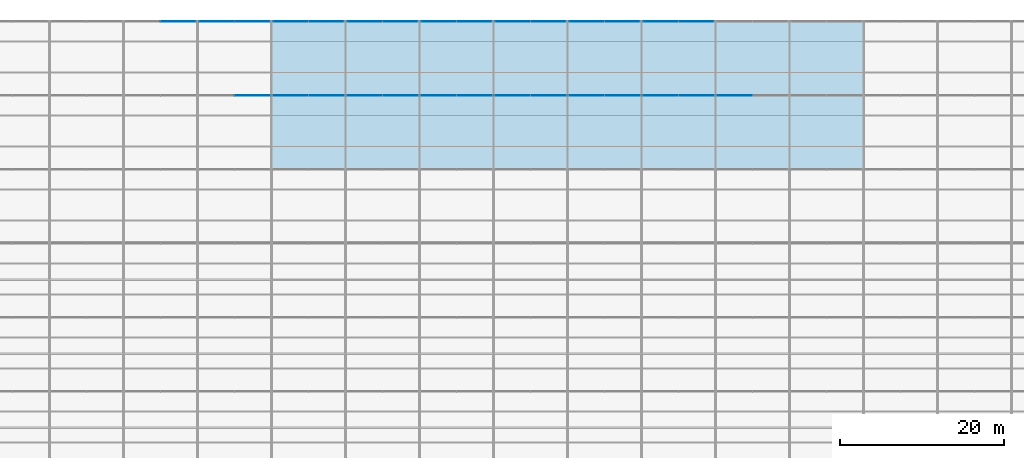
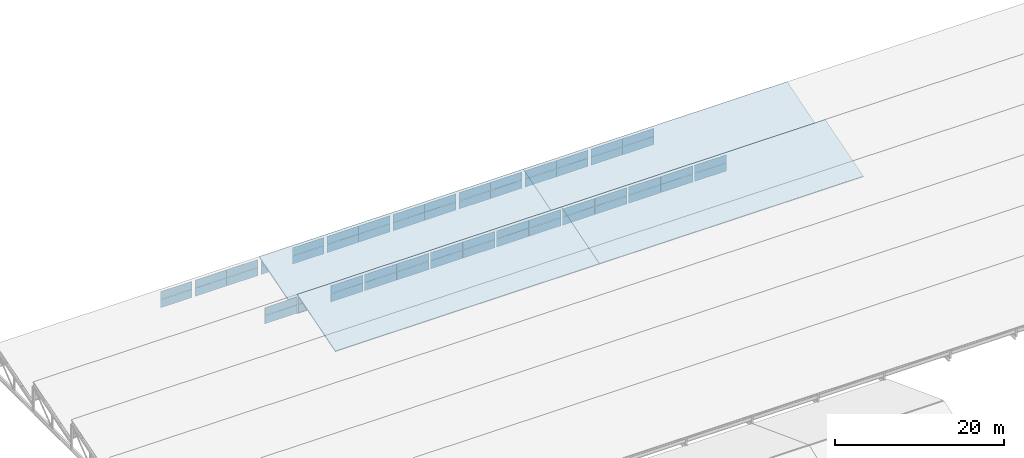
# One storey, part 115 of 163: 58 plates, 4 slabs, 16 elements without a shape of their own.
"""IFC4 building model written with IfcOpenShell, lengths in metres."""

from ifc_helpers import new_model, si_unit, direction, frame, origin, origin_2d, place, context, subcontext, project, spatial, polyline, rectangle, outline, extrude, material, layer, layer_set, type_object, element, aggregate, save


model = new_model("IFC4")

# Units and contexts
model_context = context("Model", 3, precision=1e-05, world=origin(), true_north=direction((0.0, 1.0)))
body_context = subcontext(model_context, "Body", "Model", "MODEL_VIEW")
ifc_project = project(units=[si_unit("LENGTHUNIT", "METRE"), si_unit("AREAUNIT", "SQUARE_METRE"), si_unit("VOLUMEUNIT", "CUBIC_METRE"), si_unit("PLANEANGLEUNIT", "RADIAN"), si_unit("MASSUNIT", "GRAM", prefix="KILO")], contexts=[model_context])

# Site, building, storey
site_placement = place(None, origin())
site = spatial("IfcSite", under=ifc_project, at=site_placement, CompositionType="ELEMENT")
building_placement = place(site_placement, origin())
building = spatial("IfcBuilding", under=site, at=building_placement, Name="Tharagai Park Tramway Depot", CompositionType="ELEMENT")
storey_placement = place(building_placement, frame((0.0, 0.0, 8.39990234375)))
storey = spatial("IfcBuildingStorey", under=building, at=storey_placement, Name="L02", CompositionType="ELEMENT", Elevation=8.39990234375)

# Curtain wall, plates
ifc_material_1 = material(Name="Anodised aluminium", Category="aluminium")
curtain_wall_type_1 = type_object("IfcCurtainWallType", Name="CW-04", PredefinedType="NOTDEFINED", material=ifc_material_1)
curtain_wall_1_placement = place(storey_placement, origin())
curtain_wall_1 = element("IfcCurtainWall", 1, at=curtain_wall_1_placement, inside=storey, type_object=curtain_wall_type_1, Name="Sawtooth North-Light Clerestory CW-04", PredefinedType="NOTDEFINED")
ifc_material_2 = material(Name="Laminated solar-control glass", Category="glass")
ifc_layer_1 = layer(ifc_material_2, 0.028076171875)
ifc_layer_set_1 = layer_set([ifc_layer_1], Name="Laminated solar-control glass")
plate_type = type_object("IfcPlateType", Name="CP-02", PredefinedType="CURTAIN_PANEL", material=ifc_layer_set_1)
plate_1_placement = place(storey_placement, frame((33.699951171875, 134.919921875, 1.28515625), z_axis=(0.0, 0.0, 1.0), x_axis=(1.0, 0.0, 0.0)))
plate_1 = element("IfcPlate", 2, at=plate_1_placement, type_object=plate_type, Name="Sawtooth North-Light Clerestory Glazed Panel 2.1", PredefinedType="CURTAIN_PANEL", context=body_context, shape_type="SweptSolid", body=[
    extrude(rectangle(XDim=4.3798828125, YDim=0.028076171875, at=origin_2d()), origin(), (0.0, 0.0, 1.0), 1.168701171875),
])
plate_2_placement = place(storey_placement, frame((33.699951171875, 134.919921875, 2.49365234375), z_axis=(0.0, 0.0, 1.0), x_axis=(1.0, 0.0, 0.0)))
plate_2 = element("IfcPlate", 3, at=plate_2_placement, type_object=plate_type, Name="Sawtooth North-Light Clerestory Glazed Panel 2.2", PredefinedType="CURTAIN_PANEL", context=body_context, shape_type="SweptSolid", body=[
    extrude(rectangle(XDim=4.3798828125, YDim=0.028076171875, at=origin_2d()), origin(), (0.0, 0.0, 1.0), 1.148681640625),
])
aggregate(curtain_wall_1, [plate_1, plate_2])

curtain_wall_2_placement = place(storey_placement, origin())
curtain_wall_2 = element("IfcCurtainWall", 4, at=curtain_wall_2_placement, inside=storey, type_object=curtain_wall_type_1, Name="Sawtooth North-Light Clerestory CW-04", PredefinedType="NOTDEFINED")
plate_3_placement = place(storey_placement, frame((38.300048828125, 134.919921875, 1.28515625), z_axis=(0.0, 0.0, 1.0), x_axis=(1.0, 0.0, 0.0)))
plate_3 = element("IfcPlate", 5, at=plate_3_placement, type_object=plate_type, Name="Sawtooth North-Light Clerestory Glazed Panel 1.1", PredefinedType="CURTAIN_PANEL", context=body_context, shape_type="SweptSolid", body=[
    extrude(rectangle(XDim=4.3798828125, YDim=0.028076171875, at=origin_2d()), origin(), (0.0, 0.0, 1.0), 1.168701171875),
])
plate_4_placement = place(storey_placement, frame((38.300048828125, 134.919921875, 2.49365234375), z_axis=(0.0, 0.0, 1.0), x_axis=(1.0, 0.0, 0.0)))
plate_4 = element("IfcPlate", 6, at=plate_4_placement, type_object=plate_type, Name="Sawtooth North-Light Clerestory Glazed Panel 1.2", PredefinedType="CURTAIN_PANEL", context=body_context, shape_type="SweptSolid", body=[
    extrude(rectangle(XDim=4.3798828125, YDim=0.028076171875, at=origin_2d()), origin(), (0.0, 0.0, 1.0), 1.148681640625),
])
plate_5_placement = place(storey_placement, frame((42.699951171875, 134.919921875, 1.28515625), z_axis=(0.0, 0.0, 1.0), x_axis=(1.0, 0.0, 0.0)))
plate_5 = element("IfcPlate", 7, at=plate_5_placement, type_object=plate_type, Name="Sawtooth North-Light Clerestory Glazed Panel 2.1", PredefinedType="CURTAIN_PANEL", context=body_context, shape_type="SweptSolid", body=[
    extrude(rectangle(XDim=4.3798828125, YDim=0.028076171875, at=origin_2d()), origin(), (0.0, 0.0, 1.0), 1.168701171875),
])
plate_6_placement = place(storey_placement, frame((42.699951171875, 134.919921875, 2.49365234375), z_axis=(0.0, 0.0, 1.0), x_axis=(1.0, 0.0, 0.0)))
plate_6 = element("IfcPlate", 8, at=plate_6_placement, type_object=plate_type, Name="Sawtooth North-Light Clerestory Glazed Panel 2.2", PredefinedType="CURTAIN_PANEL", context=body_context, shape_type="SweptSolid", body=[
    extrude(rectangle(XDim=4.3798828125, YDim=0.028076171875, at=origin_2d()), origin(), (0.0, 0.0, 1.0), 1.148681640625),
])
aggregate(curtain_wall_2, [plate_3, plate_4, plate_5, plate_6])

curtain_wall_3_placement = place(storey_placement, origin())
curtain_wall_3 = element("IfcCurtainWall", 9, at=curtain_wall_3_placement, inside=storey, type_object=curtain_wall_type_1, Name="Sawtooth North-Light Clerestory CW-04", PredefinedType="NOTDEFINED")
plate_7_placement = place(storey_placement, frame((47.300048828125, 134.919921875, 1.28515625), z_axis=(0.0, 0.0, 1.0), x_axis=(1.0, 0.0, 0.0)))
plate_7 = element("IfcPlate", 10, at=plate_7_placement, type_object=plate_type, Name="Sawtooth North-Light Clerestory Glazed Panel 1.1", PredefinedType="CURTAIN_PANEL", context=body_context, shape_type="SweptSolid", body=[
    extrude(rectangle(XDim=4.3798828125, YDim=0.028076171875, at=origin_2d()), origin(), (0.0, 0.0, 1.0), 1.168701171875),
])
plate_8_placement = place(storey_placement, frame((47.300048828125, 134.919921875, 2.49365234375), z_axis=(0.0, 0.0, 1.0), x_axis=(1.0, 0.0, 0.0)))
plate_8 = element("IfcPlate", 11, at=plate_8_placement, type_object=plate_type, Name="Sawtooth North-Light Clerestory Glazed Panel 1.2", PredefinedType="CURTAIN_PANEL", context=body_context, shape_type="SweptSolid", body=[
    extrude(rectangle(XDim=4.3798828125, YDim=0.028076171875, at=origin_2d()), origin(), (0.0, 0.0, 1.0), 1.148681640625),
])
plate_9_placement = place(storey_placement, frame((51.699951171875, 134.919921875, 1.28515625), z_axis=(0.0, 0.0, 1.0), x_axis=(1.0, 0.0, 0.0)))
plate_9 = element("IfcPlate", 12, at=plate_9_placement, type_object=plate_type, Name="Sawtooth North-Light Clerestory Glazed Panel 2.1", PredefinedType="CURTAIN_PANEL", context=body_context, shape_type="SweptSolid", body=[
    extrude(rectangle(XDim=4.3798828125, YDim=0.028076171875, at=origin_2d()), origin(), (0.0, 0.0, 1.0), 1.168701171875),
])
plate_10_placement = place(storey_placement, frame((51.699951171875, 134.919921875, 2.49365234375), z_axis=(0.0, 0.0, 1.0), x_axis=(1.0, 0.0, 0.0)))
plate_10 = element("IfcPlate", 13, at=plate_10_placement, type_object=plate_type, Name="Sawtooth North-Light Clerestory Glazed Panel 2.2", PredefinedType="CURTAIN_PANEL", context=body_context, shape_type="SweptSolid", body=[
    extrude(rectangle(XDim=4.3798828125, YDim=0.028076171875, at=origin_2d()), origin(), (0.0, 0.0, 1.0), 1.148681640625),
])
aggregate(curtain_wall_3, [plate_7, plate_8, plate_9, plate_10])

curtain_wall_4_placement = place(storey_placement, origin())
curtain_wall_4 = element("IfcCurtainWall", 14, at=curtain_wall_4_placement, inside=storey, type_object=curtain_wall_type_1, Name="Sawtooth North-Light Clerestory CW-04", PredefinedType="NOTDEFINED")
plate_11_placement = place(storey_placement, frame((56.300048828125, 134.919921875, 1.28515625), z_axis=(0.0, 0.0, 1.0), x_axis=(1.0, 0.0, 0.0)))
plate_11 = element("IfcPlate", 15, at=plate_11_placement, type_object=plate_type, Name="Sawtooth North-Light Clerestory Glazed Panel 1.1", PredefinedType="CURTAIN_PANEL", context=body_context, shape_type="SweptSolid", body=[
    extrude(rectangle(XDim=4.3798828125, YDim=0.028076171875, at=origin_2d()), origin(), (0.0, 0.0, 1.0), 1.168701171875),
])
plate_12_placement = place(storey_placement, frame((56.300048828125, 134.919921875, 2.49365234375), z_axis=(0.0, 0.0, 1.0), x_axis=(1.0, 0.0, 0.0)))
plate_12 = element("IfcPlate", 16, at=plate_12_placement, type_object=plate_type, Name="Sawtooth North-Light Clerestory Glazed Panel 1.2", PredefinedType="CURTAIN_PANEL", context=body_context, shape_type="SweptSolid", body=[
    extrude(rectangle(XDim=4.3798828125, YDim=0.028076171875, at=origin_2d()), origin(), (0.0, 0.0, 1.0), 1.148681640625),
])
plate_13_placement = place(storey_placement, frame((60.699951171875, 134.919921875, 1.28515625), z_axis=(0.0, 0.0, 1.0), x_axis=(1.0, 0.0, 0.0)))
plate_13 = element("IfcPlate", 17, at=plate_13_placement, type_object=plate_type, Name="Sawtooth North-Light Clerestory Glazed Panel 2.1", PredefinedType="CURTAIN_PANEL", context=body_context, shape_type="SweptSolid", body=[
    extrude(rectangle(XDim=4.3798828125, YDim=0.028076171875, at=origin_2d()), origin(), (0.0, 0.0, 1.0), 1.168701171875),
])
plate_14_placement = place(storey_placement, frame((60.699951171875, 134.919921875, 2.49365234375), z_axis=(0.0, 0.0, 1.0), x_axis=(1.0, 0.0, 0.0)))
plate_14 = element("IfcPlate", 18, at=plate_14_placement, type_object=plate_type, Name="Sawtooth North-Light Clerestory Glazed Panel 2.2", PredefinedType="CURTAIN_PANEL", context=body_context, shape_type="SweptSolid", body=[
    extrude(rectangle(XDim=4.3798828125, YDim=0.028076171875, at=origin_2d()), origin(), (0.0, 0.0, 1.0), 1.148681640625),
])
aggregate(curtain_wall_4, [plate_11, plate_12, plate_13, plate_14])

curtain_wall_5_placement = place(storey_placement, origin())
curtain_wall_5 = element("IfcCurtainWall", 19, at=curtain_wall_5_placement, inside=storey, type_object=curtain_wall_type_1, Name="Sawtooth North-Light Clerestory CW-04", PredefinedType="NOTDEFINED")
plate_15_placement = place(storey_placement, frame((65.300048828125, 134.919921875, 1.28515625), z_axis=(0.0, 0.0, 1.0), x_axis=(1.0, 0.0, 0.0)))
plate_15 = element("IfcPlate", 20, at=plate_15_placement, type_object=plate_type, Name="Sawtooth North-Light Clerestory Glazed Panel 1.1", PredefinedType="CURTAIN_PANEL", context=body_context, shape_type="SweptSolid", body=[
    extrude(rectangle(XDim=4.3798828125, YDim=0.028076171875, at=origin_2d()), origin(), (0.0, 0.0, 1.0), 1.168701171875),
])
plate_16_placement = place(storey_placement, frame((65.300048828125, 134.919921875, 2.49365234375), z_axis=(0.0, 0.0, 1.0), x_axis=(1.0, 0.0, 0.0)))
plate_16 = element("IfcPlate", 21, at=plate_16_placement, type_object=plate_type, Name="Sawtooth North-Light Clerestory Glazed Panel 1.2", PredefinedType="CURTAIN_PANEL", context=body_context, shape_type="SweptSolid", body=[
    extrude(rectangle(XDim=4.3798828125, YDim=0.028076171875, at=origin_2d()), origin(), (0.0, 0.0, 1.0), 1.148681640625),
])
plate_17_placement = place(storey_placement, frame((69.699951171875, 134.919921875, 1.28515625), z_axis=(0.0, 0.0, 1.0), x_axis=(1.0, 0.0, 0.0)))
plate_17 = element("IfcPlate", 22, at=plate_17_placement, type_object=plate_type, Name="Sawtooth North-Light Clerestory Glazed Panel 2.1", PredefinedType="CURTAIN_PANEL", context=body_context, shape_type="SweptSolid", body=[
    extrude(rectangle(XDim=4.3798828125, YDim=0.028076171875, at=origin_2d()), origin(), (0.0, 0.0, 1.0), 1.168701171875),
])
plate_18_placement = place(storey_placement, frame((69.699951171875, 134.919921875, 2.49365234375), z_axis=(0.0, 0.0, 1.0), x_axis=(1.0, 0.0, 0.0)))
plate_18 = element("IfcPlate", 23, at=plate_18_placement, type_object=plate_type, Name="Sawtooth North-Light Clerestory Glazed Panel 2.2", PredefinedType="CURTAIN_PANEL", context=body_context, shape_type="SweptSolid", body=[
    extrude(rectangle(XDim=4.3798828125, YDim=0.028076171875, at=origin_2d()), origin(), (0.0, 0.0, 1.0), 1.148681640625),
])
aggregate(curtain_wall_5, [plate_15, plate_16, plate_17, plate_18])

curtain_wall_6_placement = place(storey_placement, origin())
curtain_wall_6 = element("IfcCurtainWall", 24, at=curtain_wall_6_placement, inside=storey, type_object=curtain_wall_type_1, Name="Sawtooth North-Light Clerestory CW-04", PredefinedType="NOTDEFINED")
plate_19_placement = place(storey_placement, frame((74.300048828125, 134.919921875, 1.28515625), z_axis=(0.0, 0.0, 1.0), x_axis=(1.0, 0.0, 0.0)))
plate_19 = element("IfcPlate", 25, at=plate_19_placement, type_object=plate_type, Name="Sawtooth North-Light Clerestory Glazed Panel 1.1", PredefinedType="CURTAIN_PANEL", context=body_context, shape_type="SweptSolid", body=[
    extrude(rectangle(XDim=4.3798828125, YDim=0.028076171875, at=origin_2d()), origin(), (0.0, 0.0, 1.0), 1.168701171875),
])
plate_20_placement = place(storey_placement, frame((74.300048828125, 134.919921875, 2.49365234375), z_axis=(0.0, 0.0, 1.0), x_axis=(1.0, 0.0, 0.0)))
plate_20 = element("IfcPlate", 26, at=plate_20_placement, type_object=plate_type, Name="Sawtooth North-Light Clerestory Glazed Panel 1.2", PredefinedType="CURTAIN_PANEL", context=body_context, shape_type="SweptSolid", body=[
    extrude(rectangle(XDim=4.3798828125, YDim=0.028076171875, at=origin_2d()), origin(), (0.0, 0.0, 1.0), 1.148681640625),
])
plate_21_placement = place(storey_placement, frame((78.699951171875, 134.919921875, 1.28515625), z_axis=(0.0, 0.0, 1.0), x_axis=(1.0, 0.0, 0.0)))
plate_21 = element("IfcPlate", 27, at=plate_21_placement, type_object=plate_type, Name="Sawtooth North-Light Clerestory Glazed Panel 2.1", PredefinedType="CURTAIN_PANEL", context=body_context, shape_type="SweptSolid", body=[
    extrude(rectangle(XDim=4.3798828125, YDim=0.028076171875, at=origin_2d()), origin(), (0.0, 0.0, 1.0), 1.168701171875),
])
plate_22_placement = place(storey_placement, frame((78.699951171875, 134.919921875, 2.49365234375), z_axis=(0.0, 0.0, 1.0), x_axis=(1.0, 0.0, 0.0)))
plate_22 = element("IfcPlate", 28, at=plate_22_placement, type_object=plate_type, Name="Sawtooth North-Light Clerestory Glazed Panel 2.2", PredefinedType="CURTAIN_PANEL", context=body_context, shape_type="SweptSolid", body=[
    extrude(rectangle(XDim=4.3798828125, YDim=0.028076171875, at=origin_2d()), origin(), (0.0, 0.0, 1.0), 1.148681640625),
])
aggregate(curtain_wall_6, [plate_19, plate_20, plate_21, plate_22])

curtain_wall_7_placement = place(storey_placement, origin())
curtain_wall_7 = element("IfcCurtainWall", 29, at=curtain_wall_7_placement, inside=storey, type_object=curtain_wall_type_1, Name="Sawtooth North-Light Clerestory CW-04", PredefinedType="NOTDEFINED")
plate_23_placement = place(storey_placement, frame((83.300048828125, 134.919921875, 1.28515625), z_axis=(0.0, 0.0, 1.0), x_axis=(1.0, 0.0, 0.0)))
plate_23 = element("IfcPlate", 30, at=plate_23_placement, type_object=plate_type, Name="Sawtooth North-Light Clerestory Glazed Panel 1.1", PredefinedType="CURTAIN_PANEL", context=body_context, shape_type="SweptSolid", body=[
    extrude(rectangle(XDim=4.3798828125, YDim=0.028076171875, at=origin_2d()), origin(), (0.0, 0.0, 1.0), 1.168701171875),
])
plate_24_placement = place(storey_placement, frame((83.300048828125, 134.919921875, 2.49365234375), z_axis=(0.0, 0.0, 1.0), x_axis=(1.0, 0.0, 0.0)))
plate_24 = element("IfcPlate", 31, at=plate_24_placement, type_object=plate_type, Name="Sawtooth North-Light Clerestory Glazed Panel 1.2", PredefinedType="CURTAIN_PANEL", context=body_context, shape_type="SweptSolid", body=[
    extrude(rectangle(XDim=4.3798828125, YDim=0.028076171875, at=origin_2d()), origin(), (0.0, 0.0, 1.0), 1.148681640625),
])
plate_25_placement = place(storey_placement, frame((87.699951171875, 134.919921875, 1.28515625), z_axis=(0.0, 0.0, 1.0), x_axis=(1.0, 0.0, 0.0)))
plate_25 = element("IfcPlate", 32, at=plate_25_placement, type_object=plate_type, Name="Sawtooth North-Light Clerestory Glazed Panel 2.1", PredefinedType="CURTAIN_PANEL", context=body_context, shape_type="SweptSolid", body=[
    extrude(rectangle(XDim=4.3798828125, YDim=0.028076171875, at=origin_2d()), origin(), (0.0, 0.0, 1.0), 1.168701171875),
])
plate_26_placement = place(storey_placement, frame((87.699951171875, 134.919921875, 2.49365234375), z_axis=(0.0, 0.0, 1.0), x_axis=(1.0, 0.0, 0.0)))
plate_26 = element("IfcPlate", 33, at=plate_26_placement, type_object=plate_type, Name="Sawtooth North-Light Clerestory Glazed Panel 2.2", PredefinedType="CURTAIN_PANEL", context=body_context, shape_type="SweptSolid", body=[
    extrude(rectangle(XDim=4.3798828125, YDim=0.028076171875, at=origin_2d()), origin(), (0.0, 0.0, 1.0), 1.148681640625),
])
aggregate(curtain_wall_7, [plate_23, plate_24, plate_25, plate_26])

curtain_wall_8_placement = place(storey_placement, origin())
curtain_wall_8 = element("IfcCurtainWall", 34, at=curtain_wall_8_placement, inside=storey, type_object=curtain_wall_type_1, Name="Sawtooth North-Light Clerestory CW-04", PredefinedType="NOTDEFINED")
plate_27_placement = place(storey_placement, frame((92.300048828125, 134.919921875, 1.28515625), z_axis=(0.0, 0.0, 1.0), x_axis=(1.0, 0.0, 0.0)))
plate_27 = element("IfcPlate", 35, at=plate_27_placement, type_object=plate_type, Name="Sawtooth North-Light Clerestory Glazed Panel 1.1", PredefinedType="CURTAIN_PANEL", context=body_context, shape_type="SweptSolid", body=[
    extrude(rectangle(XDim=4.3798828125, YDim=0.028076171875, at=origin_2d()), origin(), (0.0, 0.0, 1.0), 1.168701171875),
])
plate_28_placement = place(storey_placement, frame((92.300048828125, 134.919921875, 2.49365234375), z_axis=(0.0, 0.0, 1.0), x_axis=(1.0, 0.0, 0.0)))
plate_28 = element("IfcPlate", 36, at=plate_28_placement, type_object=plate_type, Name="Sawtooth North-Light Clerestory Glazed Panel 1.2", PredefinedType="CURTAIN_PANEL", context=body_context, shape_type="SweptSolid", body=[
    extrude(rectangle(XDim=4.3798828125, YDim=0.028076171875, at=origin_2d()), origin(), (0.0, 0.0, 1.0), 1.148681640625),
])
aggregate(curtain_wall_8, [plate_27, plate_28])

curtain_wall_type_2 = type_object("IfcCurtainWallType", Name="CW-03", PredefinedType="NOTDEFINED", material=ifc_material_1)
curtain_wall_9_placement = place(storey_placement, origin())
curtain_wall_9 = element("IfcCurtainWall", 37, at=curtain_wall_9_placement, inside=storey, type_object=curtain_wall_type_2, Name="Sawtooth North-Light Clerestory CW-03", PredefinedType="NOTDEFINED")
plate_29_placement = place(storey_placement, frame((24.659912109375, 143.919921875, 1.28515625), z_axis=(0.0, 0.0, 1.0), x_axis=(1.0, 0.0, 0.0)))
plate_29 = element("IfcPlate", 38, at=plate_29_placement, type_object=plate_type, Name="Sawtooth North-Light Clerestory Glazed Panel 2.1", PredefinedType="CURTAIN_PANEL", context=body_context, shape_type="SweptSolid", body=[
    extrude(rectangle(XDim=4.300048828125, YDim=0.028076171875, at=origin_2d()), origin(), (0.0, 0.0, 1.0), 1.168701171875),
])
plate_30_placement = place(storey_placement, frame((24.659912109375, 143.919921875, 2.49365234375), z_axis=(0.0, 0.0, 1.0), x_axis=(1.0, 0.0, 0.0)))
plate_30 = element("IfcPlate", 39, at=plate_30_placement, type_object=plate_type, Name="Sawtooth North-Light Clerestory Glazed Panel 2.2", PredefinedType="CURTAIN_PANEL", context=body_context, shape_type="SweptSolid", body=[
    extrude(rectangle(XDim=4.300048828125, YDim=0.028076171875, at=origin_2d()), origin(), (0.0, 0.0, 1.0), 1.148681640625),
])
aggregate(curtain_wall_9, [plate_29, plate_30])

curtain_wall_10_placement = place(storey_placement, origin())
curtain_wall_10 = element("IfcCurtainWall", 40, at=curtain_wall_10_placement, inside=storey, type_object=curtain_wall_type_2, Name="Sawtooth North-Light Clerestory CW-03", PredefinedType="NOTDEFINED")
plate_31_placement = place(storey_placement, frame((29.340087890625, 143.919921875, 1.28515625), z_axis=(0.0, 0.0, 1.0), x_axis=(1.0, 0.0, 0.0)))
plate_31 = element("IfcPlate", 41, at=plate_31_placement, type_object=plate_type, Name="Sawtooth North-Light Clerestory Glazed Panel 1.1", PredefinedType="CURTAIN_PANEL", context=body_context, shape_type="SweptSolid", body=[
    extrude(rectangle(XDim=4.300048828125, YDim=0.028076171875, at=origin_2d()), origin(), (0.0, 0.0, 1.0), 1.168701171875),
])
plate_32_placement = place(storey_placement, frame((29.340087890625, 143.919921875, 2.49365234375), z_axis=(0.0, 0.0, 1.0), x_axis=(1.0, 0.0, 0.0)))
plate_32 = element("IfcPlate", 42, at=plate_32_placement, type_object=plate_type, Name="Sawtooth North-Light Clerestory Glazed Panel 1.2", PredefinedType="CURTAIN_PANEL", context=body_context, shape_type="SweptSolid", body=[
    extrude(rectangle(XDim=4.300048828125, YDim=0.028076171875, at=origin_2d()), origin(), (0.0, 0.0, 1.0), 1.148681640625),
])
plate_33_placement = place(storey_placement, frame((33.659912109375, 143.919921875, 1.28515625), z_axis=(0.0, 0.0, 1.0), x_axis=(1.0, 0.0, 0.0)))
plate_33 = element("IfcPlate", 43, at=plate_33_placement, type_object=plate_type, Name="Sawtooth North-Light Clerestory Glazed Panel 2.1", PredefinedType="CURTAIN_PANEL", context=body_context, shape_type="SweptSolid", body=[
    extrude(rectangle(XDim=4.300048828125, YDim=0.028076171875, at=origin_2d()), origin(), (0.0, 0.0, 1.0), 1.168701171875),
])
plate_34_placement = place(storey_placement, frame((33.659912109375, 143.919921875, 2.49365234375), z_axis=(0.0, 0.0, 1.0), x_axis=(1.0, 0.0, 0.0)))
plate_34 = element("IfcPlate", 44, at=plate_34_placement, type_object=plate_type, Name="Sawtooth North-Light Clerestory Glazed Panel 2.2", PredefinedType="CURTAIN_PANEL", context=body_context, shape_type="SweptSolid", body=[
    extrude(rectangle(XDim=4.300048828125, YDim=0.028076171875, at=origin_2d()), origin(), (0.0, 0.0, 1.0), 1.148681640625),
])
aggregate(curtain_wall_10, [plate_31, plate_32, plate_33, plate_34])

curtain_wall_11_placement = place(storey_placement, origin())
curtain_wall_11 = element("IfcCurtainWall", 45, at=curtain_wall_11_placement, inside=storey, type_object=curtain_wall_type_2, Name="Sawtooth North-Light Clerestory CW-03", PredefinedType="NOTDEFINED")
plate_35_placement = place(storey_placement, frame((38.340087890625, 143.919921875, 1.28515625), z_axis=(0.0, 0.0, 1.0), x_axis=(1.0, 0.0, 0.0)))
plate_35 = element("IfcPlate", 46, at=plate_35_placement, type_object=plate_type, Name="Sawtooth North-Light Clerestory Glazed Panel 1.1", PredefinedType="CURTAIN_PANEL", context=body_context, shape_type="SweptSolid", body=[
    extrude(rectangle(XDim=4.300048828125, YDim=0.028076171875, at=origin_2d()), origin(), (0.0, 0.0, 1.0), 1.168701171875),
])
plate_36_placement = place(storey_placement, frame((38.340087890625, 143.919921875, 2.49365234375), z_axis=(0.0, 0.0, 1.0), x_axis=(1.0, 0.0, 0.0)))
plate_36 = element("IfcPlate", 47, at=plate_36_placement, type_object=plate_type, Name="Sawtooth North-Light Clerestory Glazed Panel 1.2", PredefinedType="CURTAIN_PANEL", context=body_context, shape_type="SweptSolid", body=[
    extrude(rectangle(XDim=4.300048828125, YDim=0.028076171875, at=origin_2d()), origin(), (0.0, 0.0, 1.0), 1.148681640625),
])
plate_37_placement = place(storey_placement, frame((42.659912109375, 143.919921875, 1.28515625), z_axis=(0.0, 0.0, 1.0), x_axis=(1.0, 0.0, 0.0)))
plate_37 = element("IfcPlate", 48, at=plate_37_placement, type_object=plate_type, Name="Sawtooth North-Light Clerestory Glazed Panel 2.1", PredefinedType="CURTAIN_PANEL", context=body_context, shape_type="SweptSolid", body=[
    extrude(rectangle(XDim=4.300048828125, YDim=0.028076171875, at=origin_2d()), origin(), (0.0, 0.0, 1.0), 1.168701171875),
])
plate_38_placement = place(storey_placement, frame((42.659912109375, 143.919921875, 2.49365234375), z_axis=(0.0, 0.0, 1.0), x_axis=(1.0, 0.0, 0.0)))
plate_38 = element("IfcPlate", 49, at=plate_38_placement, type_object=plate_type, Name="Sawtooth North-Light Clerestory Glazed Panel 2.2", PredefinedType="CURTAIN_PANEL", context=body_context, shape_type="SweptSolid", body=[
    extrude(rectangle(XDim=4.300048828125, YDim=0.028076171875, at=origin_2d()), origin(), (0.0, 0.0, 1.0), 1.148681640625),
])
aggregate(curtain_wall_11, [plate_35, plate_36, plate_37, plate_38])

curtain_wall_12_placement = place(storey_placement, origin())
curtain_wall_12 = element("IfcCurtainWall", 50, at=curtain_wall_12_placement, inside=storey, type_object=curtain_wall_type_2, Name="Sawtooth North-Light Clerestory CW-03", PredefinedType="NOTDEFINED")
plate_39_placement = place(storey_placement, frame((47.340087890625, 143.919921875, 1.28515625), z_axis=(0.0, 0.0, 1.0), x_axis=(1.0, 0.0, 0.0)))
plate_39 = element("IfcPlate", 51, at=plate_39_placement, type_object=plate_type, Name="Sawtooth North-Light Clerestory Glazed Panel 1.1", PredefinedType="CURTAIN_PANEL", context=body_context, shape_type="SweptSolid", body=[
    extrude(rectangle(XDim=4.300048828125, YDim=0.028076171875, at=origin_2d()), origin(), (0.0, 0.0, 1.0), 1.168701171875),
])
plate_40_placement = place(storey_placement, frame((47.340087890625, 143.919921875, 2.49365234375), z_axis=(0.0, 0.0, 1.0), x_axis=(1.0, 0.0, 0.0)))
plate_40 = element("IfcPlate", 52, at=plate_40_placement, type_object=plate_type, Name="Sawtooth North-Light Clerestory Glazed Panel 1.2", PredefinedType="CURTAIN_PANEL", context=body_context, shape_type="SweptSolid", body=[
    extrude(rectangle(XDim=4.300048828125, YDim=0.028076171875, at=origin_2d()), origin(), (0.0, 0.0, 1.0), 1.148681640625),
])
plate_41_placement = place(storey_placement, frame((51.659912109375, 143.919921875, 1.28515625), z_axis=(0.0, 0.0, 1.0), x_axis=(1.0, 0.0, 0.0)))
plate_41 = element("IfcPlate", 53, at=plate_41_placement, type_object=plate_type, Name="Sawtooth North-Light Clerestory Glazed Panel 2.1", PredefinedType="CURTAIN_PANEL", context=body_context, shape_type="SweptSolid", body=[
    extrude(rectangle(XDim=4.300048828125, YDim=0.028076171875, at=origin_2d()), origin(), (0.0, 0.0, 1.0), 1.168701171875),
])
plate_42_placement = place(storey_placement, frame((51.659912109375, 143.919921875, 2.49365234375), z_axis=(0.0, 0.0, 1.0), x_axis=(1.0, 0.0, 0.0)))
plate_42 = element("IfcPlate", 54, at=plate_42_placement, type_object=plate_type, Name="Sawtooth North-Light Clerestory Glazed Panel 2.2", PredefinedType="CURTAIN_PANEL", context=body_context, shape_type="SweptSolid", body=[
    extrude(rectangle(XDim=4.300048828125, YDim=0.028076171875, at=origin_2d()), origin(), (0.0, 0.0, 1.0), 1.148681640625),
])
aggregate(curtain_wall_12, [plate_39, plate_40, plate_41, plate_42])

curtain_wall_13_placement = place(storey_placement, origin())
curtain_wall_13 = element("IfcCurtainWall", 55, at=curtain_wall_13_placement, inside=storey, type_object=curtain_wall_type_2, Name="Sawtooth North-Light Clerestory CW-03", PredefinedType="NOTDEFINED")
plate_43_placement = place(storey_placement, frame((56.340087890625, 143.919921875, 1.28515625), z_axis=(0.0, 0.0, 1.0), x_axis=(1.0, 0.0, 0.0)))
plate_43 = element("IfcPlate", 56, at=plate_43_placement, type_object=plate_type, Name="Sawtooth North-Light Clerestory Glazed Panel 1.1", PredefinedType="CURTAIN_PANEL", context=body_context, shape_type="SweptSolid", body=[
    extrude(rectangle(XDim=4.300048828125, YDim=0.028076171875, at=origin_2d()), origin(), (0.0, 0.0, 1.0), 1.168701171875),
])
plate_44_placement = place(storey_placement, frame((56.340087890625, 143.919921875, 2.49365234375), z_axis=(0.0, 0.0, 1.0), x_axis=(1.0, 0.0, 0.0)))
plate_44 = element("IfcPlate", 57, at=plate_44_placement, type_object=plate_type, Name="Sawtooth North-Light Clerestory Glazed Panel 1.2", PredefinedType="CURTAIN_PANEL", context=body_context, shape_type="SweptSolid", body=[
    extrude(rectangle(XDim=4.300048828125, YDim=0.028076171875, at=origin_2d()), origin(), (0.0, 0.0, 1.0), 1.148681640625),
])
plate_45_placement = place(storey_placement, frame((60.659912109375, 143.919921875, 1.28515625), z_axis=(0.0, 0.0, 1.0), x_axis=(1.0, 0.0, 0.0)))
plate_45 = element("IfcPlate", 58, at=plate_45_placement, type_object=plate_type, Name="Sawtooth North-Light Clerestory Glazed Panel 2.1", PredefinedType="CURTAIN_PANEL", context=body_context, shape_type="SweptSolid", body=[
    extrude(rectangle(XDim=4.300048828125, YDim=0.028076171875, at=origin_2d()), origin(), (0.0, 0.0, 1.0), 1.168701171875),
])
plate_46_placement = place(storey_placement, frame((60.659912109375, 143.919921875, 2.49365234375), z_axis=(0.0, 0.0, 1.0), x_axis=(1.0, 0.0, 0.0)))
plate_46 = element("IfcPlate", 59, at=plate_46_placement, type_object=plate_type, Name="Sawtooth North-Light Clerestory Glazed Panel 2.2", PredefinedType="CURTAIN_PANEL", context=body_context, shape_type="SweptSolid", body=[
    extrude(rectangle(XDim=4.300048828125, YDim=0.028076171875, at=origin_2d()), origin(), (0.0, 0.0, 1.0), 1.148681640625),
])
aggregate(curtain_wall_13, [plate_43, plate_44, plate_45, plate_46])

curtain_wall_14_placement = place(storey_placement, origin())
curtain_wall_14 = element("IfcCurtainWall", 60, at=curtain_wall_14_placement, inside=storey, type_object=curtain_wall_type_2, Name="Sawtooth North-Light Clerestory CW-03", PredefinedType="NOTDEFINED")
plate_47_placement = place(storey_placement, frame((65.340087890625, 143.919921875, 1.28515625), z_axis=(0.0, 0.0, 1.0), x_axis=(1.0, 0.0, 0.0)))
plate_47 = element("IfcPlate", 61, at=plate_47_placement, type_object=plate_type, Name="Sawtooth North-Light Clerestory Glazed Panel 1.1", PredefinedType="CURTAIN_PANEL", context=body_context, shape_type="SweptSolid", body=[
    extrude(rectangle(XDim=4.300048828125, YDim=0.028076171875, at=origin_2d()), origin(), (0.0, 0.0, 1.0), 1.168701171875),
])
plate_48_placement = place(storey_placement, frame((65.340087890625, 143.919921875, 2.49365234375), z_axis=(0.0, 0.0, 1.0), x_axis=(1.0, 0.0, 0.0)))
plate_48 = element("IfcPlate", 62, at=plate_48_placement, type_object=plate_type, Name="Sawtooth North-Light Clerestory Glazed Panel 1.2", PredefinedType="CURTAIN_PANEL", context=body_context, shape_type="SweptSolid", body=[
    extrude(rectangle(XDim=4.300048828125, YDim=0.028076171875, at=origin_2d()), origin(), (0.0, 0.0, 1.0), 1.148681640625),
])
plate_49_placement = place(storey_placement, frame((69.659912109375, 143.919921875, 1.28515625), z_axis=(0.0, 0.0, 1.0), x_axis=(1.0, 0.0, 0.0)))
plate_49 = element("IfcPlate", 63, at=plate_49_placement, type_object=plate_type, Name="Sawtooth North-Light Clerestory Glazed Panel 2.1", PredefinedType="CURTAIN_PANEL", context=body_context, shape_type="SweptSolid", body=[
    extrude(rectangle(XDim=4.300048828125, YDim=0.028076171875, at=origin_2d()), origin(), (0.0, 0.0, 1.0), 1.168701171875),
])
plate_50_placement = place(storey_placement, frame((69.659912109375, 143.919921875, 2.49365234375), z_axis=(0.0, 0.0, 1.0), x_axis=(1.0, 0.0, 0.0)))
plate_50 = element("IfcPlate", 64, at=plate_50_placement, type_object=plate_type, Name="Sawtooth North-Light Clerestory Glazed Panel 2.2", PredefinedType="CURTAIN_PANEL", context=body_context, shape_type="SweptSolid", body=[
    extrude(rectangle(XDim=4.300048828125, YDim=0.028076171875, at=origin_2d()), origin(), (0.0, 0.0, 1.0), 1.148681640625),
])
aggregate(curtain_wall_14, [plate_47, plate_48, plate_49, plate_50])

curtain_wall_15_placement = place(storey_placement, origin())
curtain_wall_15 = element("IfcCurtainWall", 65, at=curtain_wall_15_placement, inside=storey, type_object=curtain_wall_type_2, Name="Sawtooth North-Light Clerestory CW-03", PredefinedType="NOTDEFINED")
plate_51_placement = place(storey_placement, frame((74.340087890625, 143.919921875, 1.28515625), z_axis=(0.0, 0.0, 1.0), x_axis=(1.0, 0.0, 0.0)))
plate_51 = element("IfcPlate", 66, at=plate_51_placement, type_object=plate_type, Name="Sawtooth North-Light Clerestory Glazed Panel 1.1", PredefinedType="CURTAIN_PANEL", context=body_context, shape_type="SweptSolid", body=[
    extrude(rectangle(XDim=4.300048828125, YDim=0.028076171875, at=origin_2d()), origin(), (0.0, 0.0, 1.0), 1.168701171875),
])
plate_52_placement = place(storey_placement, frame((74.340087890625, 143.919921875, 2.49365234375), z_axis=(0.0, 0.0, 1.0), x_axis=(1.0, 0.0, 0.0)))
plate_52 = element("IfcPlate", 67, at=plate_52_placement, type_object=plate_type, Name="Sawtooth North-Light Clerestory Glazed Panel 1.2", PredefinedType="CURTAIN_PANEL", context=body_context, shape_type="SweptSolid", body=[
    extrude(rectangle(XDim=4.300048828125, YDim=0.028076171875, at=origin_2d()), origin(), (0.0, 0.0, 1.0), 1.148681640625),
])
plate_53_placement = place(storey_placement, frame((78.659912109375, 143.919921875, 1.28515625), z_axis=(0.0, 0.0, 1.0), x_axis=(1.0, 0.0, 0.0)))
plate_53 = element("IfcPlate", 68, at=plate_53_placement, type_object=plate_type, Name="Sawtooth North-Light Clerestory Glazed Panel 2.1", PredefinedType="CURTAIN_PANEL", context=body_context, shape_type="SweptSolid", body=[
    extrude(rectangle(XDim=4.300048828125, YDim=0.028076171875, at=origin_2d()), origin(), (0.0, 0.0, 1.0), 1.168701171875),
])
plate_54_placement = place(storey_placement, frame((78.659912109375, 143.919921875, 2.49365234375), z_axis=(0.0, 0.0, 1.0), x_axis=(1.0, 0.0, 0.0)))
plate_54 = element("IfcPlate", 69, at=plate_54_placement, type_object=plate_type, Name="Sawtooth North-Light Clerestory Glazed Panel 2.2", PredefinedType="CURTAIN_PANEL", context=body_context, shape_type="SweptSolid", body=[
    extrude(rectangle(XDim=4.300048828125, YDim=0.028076171875, at=origin_2d()), origin(), (0.0, 0.0, 1.0), 1.148681640625),
])
aggregate(curtain_wall_15, [plate_51, plate_52, plate_53, plate_54])

curtain_wall_16_placement = place(storey_placement, origin())
curtain_wall_16 = element("IfcCurtainWall", 70, at=curtain_wall_16_placement, inside=storey, type_object=curtain_wall_type_2, Name="Sawtooth North-Light Clerestory CW-03", PredefinedType="NOTDEFINED")
plate_55_placement = place(storey_placement, frame((83.340087890625, 143.919921875, 1.28515625), z_axis=(0.0, 0.0, 1.0), x_axis=(1.0, 0.0, 0.0)))
plate_55 = element("IfcPlate", 71, at=plate_55_placement, type_object=plate_type, Name="Sawtooth North-Light Clerestory Glazed Panel 1.1", PredefinedType="CURTAIN_PANEL", context=body_context, shape_type="SweptSolid", body=[
    extrude(rectangle(XDim=4.300048828125, YDim=0.028076171875, at=origin_2d()), origin(), (0.0, 0.0, 1.0), 1.168701171875),
])
plate_56_placement = place(storey_placement, frame((83.340087890625, 143.919921875, 2.49365234375), z_axis=(0.0, 0.0, 1.0), x_axis=(1.0, 0.0, 0.0)))
plate_56 = element("IfcPlate", 72, at=plate_56_placement, type_object=plate_type, Name="Sawtooth North-Light Clerestory Glazed Panel 1.2", PredefinedType="CURTAIN_PANEL", context=body_context, shape_type="SweptSolid", body=[
    extrude(rectangle(XDim=4.300048828125, YDim=0.028076171875, at=origin_2d()), origin(), (0.0, 0.0, 1.0), 1.148681640625),
])
plate_57_placement = place(storey_placement, frame((87.659912109375, 143.919921875, 1.28515625), z_axis=(0.0, 0.0, 1.0), x_axis=(1.0, 0.0, 0.0)))
plate_57 = element("IfcPlate", 73, at=plate_57_placement, type_object=plate_type, Name="Sawtooth North-Light Clerestory Glazed Panel 2.1", PredefinedType="CURTAIN_PANEL", context=body_context, shape_type="SweptSolid", body=[
    extrude(rectangle(XDim=4.300048828125, YDim=0.028076171875, at=origin_2d()), origin(), (0.0, 0.0, 1.0), 1.168701171875),
])
plate_58_placement = place(storey_placement, frame((87.659912109375, 143.919921875, 2.49365234375), z_axis=(0.0, 0.0, 1.0), x_axis=(1.0, 0.0, 0.0)))
plate_58 = element("IfcPlate", 74, at=plate_58_placement, type_object=plate_type, Name="Sawtooth North-Light Clerestory Glazed Panel 2.2", PredefinedType="CURTAIN_PANEL", context=body_context, shape_type="SweptSolid", body=[
    extrude(rectangle(XDim=4.300048828125, YDim=0.028076171875, at=origin_2d()), origin(), (0.0, 0.0, 1.0), 1.148681640625),
])
aggregate(curtain_wall_16, [plate_55, plate_56, plate_57, plate_58])

# Slabs
ifc_material_3 = material(Name="Concrete M35", Category="concrete")
ifc_layer_2 = layer(ifc_material_3, 0.159912109375)
ifc_layer_set_2 = layer_set([ifc_layer_2], Name="Concrete M35")
slab_type = type_object("IfcSlabType", Name="RS-04", PredefinedType="ROOF", material=ifc_layer_set_2)
for number, where, z_axis, x_axis, name in (
    (75, (36.0, 126.0, 1.2001953125), (0.0, -0.289034229425, 0.95731876312), (1.0, 0.0, 0.0), "V1 Sawtooth Tooth 5 Sloped Roof Slab 2"),
    (76, (72.0, 126.0, 1.2001953125), (0.0, -0.289034229425, 0.95731876312), (1.0, 0.0, 0.0), "V1 Sawtooth Tooth 5 Sloped Roof Slab 3"),
    (77, (36.0, 135.0, 1.2001953125), (0.0, -0.289034229425, 0.95731876312), (1.0, 0.0, 0.0), "V1 Sawtooth Tooth 6 Sloped Roof Slab 2"),
    (78, (72.0, 135.0, 1.2001953125), (0.0, -0.289034229425, 0.95731876312), (1.0, 0.0, 0.0), "V1 Sawtooth Tooth 6 Sloped Roof Slab 3"),
):
    element("IfcSlab", number, at=place(storey_placement, frame(where, z_axis=z_axis, x_axis=x_axis)), inside=storey, type_object=slab_type, Name=name, PredefinedType="ROOF", context=body_context, shape_type="SweptSolid", body=[
        extrude(outline(polyline([(0.0, 0.0), (36.0, 0.0), (36.0, 9.401257289340432), (0.0, 9.401257289340432), (0.0, 0.0)])), origin(), (0.0, 0.0, -1.0), 0.159912109375),
    ])

save(model, "model.ifc")
